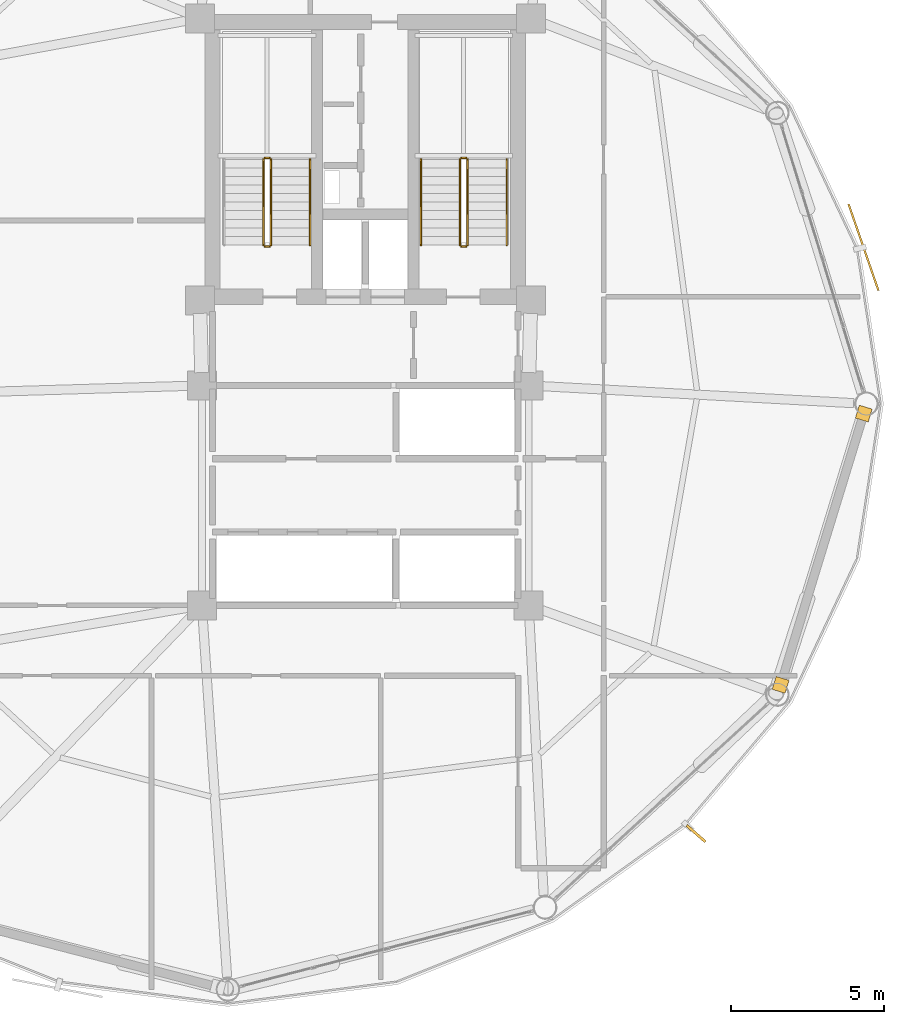
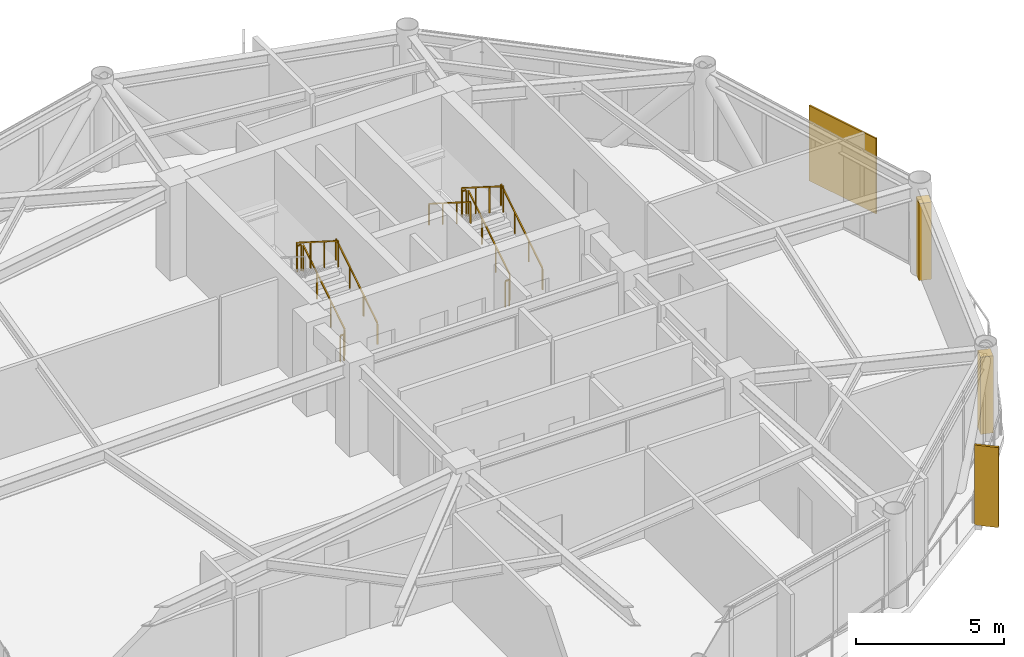
# One storey, part 26 of 27: 11 railings, 2 coverings, 2 shading devices.
"""IFC4 building model written with IfcOpenShell, lengths in metres."""

from ifc_helpers import new_model, si_unit, direction, frame, origin, origin_2d, place, context, subcontext, project, spatial, rectangle, extrude, source, transform, mapped, material, layer, layer_set, type_object, type_shapes, element, save


model = new_model("IFC4")

# Units and contexts
model_context = context("Model", 3, precision=1e-05, world=origin(), true_north=direction((0.0, 1.0)))
body_context = subcontext(model_context, "Body", "Model", "MODEL_VIEW")
ifc_project = project(units=[si_unit("LENGTHUNIT", "METRE"), si_unit("AREAUNIT", "SQUARE_METRE"), si_unit("VOLUMEUNIT", "CUBIC_METRE"), si_unit("PLANEANGLEUNIT", "RADIAN"), si_unit("MASSUNIT", "GRAM", prefix="KILO")], contexts=[model_context])

# Site, building, storey
site_placement = place(None, origin())
site = spatial("IfcSite", under=ifc_project, at=site_placement, CompositionType="ELEMENT")
building_placement = place(site_placement, origin())
building = spatial("IfcBuilding", under=site, at=building_placement, Name="Varnakorn Sky Granary", CompositionType="ELEMENT")
storey_placement = place(building_placement, frame((0.0, 0.0, 142.199951171875)))
storey = spatial("IfcBuildingStorey", under=building, at=storey_placement, Name="L35", CompositionType="ELEMENT", Elevation=142.199951171875)

# Railings
ifc_material_1 = material(Name="Brushed Stainless Steel 316", Category="steel")
railing_type_1 = type_object("IfcRailingType", Name="RL-STAIR-1100", PredefinedType="GUARDRAIL", material=ifc_material_1)
railing_1_placement = place(storey_placement, frame((-0.090087890625, 5.199951171875, 0.17724609375)))
element("IfcRailing", 1, at=railing_1_placement, inside=storey, type_object=railing_type_1, Name="L35 ST-1 stair guard 1", PredefinedType="GUARDRAIL", context=body_context, shape_type="SweptSolid", body=[
    extrude(rectangle(XDim=0.048095703125, YDim=0.048095703125, at=origin_2d()), frame((0.0, 0.0, 1.076171875), z_axis=(0.0, 0.844908973607, 0.534910110503), x_axis=(-1.0, 0.0, 0.0)), (0.0, 0.0, 1.0), 3.31396484375),
    extrude(rectangle(XDim=0.0419921875, YDim=0.0419921875, at=origin_2d()), origin(), (0.0, 0.0, 1.0), 1.048095703125),
    extrude(rectangle(XDim=0.0419921875, YDim=0.0419921875, at=origin_2d()), frame((0.0, 0.933349609375, 0.5908203125)), (0.0, 0.0, 1.0), 1.048095703125),
    extrude(rectangle(XDim=0.0419921875, YDim=0.0419921875, at=origin_2d()), frame((0.0, 1.86669921875, 1.181884765625)), (0.0, 0.0, 1.0), 1.048095703125),
    extrude(rectangle(XDim=0.0419921875, YDim=0.0419921875, at=origin_2d()), frame((0.0, 2.800048828125, 1.772705078125)), (0.0, 0.0, 1.0), 1.048095703125),
])
railing_2_placement = place(storey_placement, frame((-0.139892578125, 8.050048828125, 1.949951171875)))
element("IfcRailing", 2, at=railing_2_placement, inside=storey, type_object=railing_type_1, Name="L35 ST-1 stair guard 2", PredefinedType="GUARDRAIL", context=body_context, shape_type="SweptSolid", body=[
    extrude(rectangle(XDim=0.048095703125, YDim=0.048095703125, at=origin_2d()), frame((0.0, 0.0, 1.076171875), z_axis=(-1.0, 0.0, 0.0), x_axis=(0.0, -1.0, 0.0)), (0.0, 0.0, 1.0), 0.150146484375),
    extrude(rectangle(XDim=0.0419921875, YDim=0.0419921875, at=origin_2d()), origin(), (0.0, 0.0, 1.0), 1.048095703125),
    extrude(rectangle(XDim=0.0419921875, YDim=0.0419921875, at=origin_2d()), frame((-0.150146484375, 0.0, 0.0)), (0.0, 0.0, 1.0), 1.048095703125),
])
railing_3_placement = place(storey_placement, frame((-0.340087890625, 8.0, 2.12744140625)))
element("IfcRailing", 3, at=railing_3_placement, inside=storey, type_object=railing_type_1, Name="L35 ST-1 stair guard 3", PredefinedType="GUARDRAIL", context=body_context, shape_type="SweptSolid", body=[
    extrude(rectangle(XDim=0.048095703125, YDim=0.048095703125, at=origin_2d()), frame((0.0, 0.0, 1.076171875), z_axis=(0.0, -0.844908973607, 0.534910110503), x_axis=(1.0, 0.0, 0.0)), (0.0, 0.0, 1.0), 3.31396484375),
    extrude(rectangle(XDim=0.0419921875, YDim=0.0419921875, at=origin_2d()), origin(), (0.0, 0.0, 1.0), 1.048095703125),
    extrude(rectangle(XDim=0.0419921875, YDim=0.0419921875, at=origin_2d()), frame((0.0, -0.933349609375, 0.5908203125)), (0.0, 0.0, 1.0), 1.048095703125),
    extrude(rectangle(XDim=0.0419921875, YDim=0.0419921875, at=origin_2d()), frame((0.0, -1.86669921875, 1.181884765625)), (0.0, 0.0, 1.0), 1.048095703125),
    extrude(rectangle(XDim=0.0419921875, YDim=0.0419921875, at=origin_2d()), frame((0.0, -2.800048828125, 1.772705078125)), (0.0, 0.0, 1.0), 1.048095703125),
])
railing_4_placement = place(storey_placement, frame((-0.139892578125, 5.14990234375, 0.0)))
element("IfcRailing", 4, at=railing_4_placement, inside=storey, type_object=railing_type_1, Name="L35 ST-1 stair guard 4", PredefinedType="GUARDRAIL", context=body_context, shape_type="SweptSolid", body=[
    extrude(rectangle(XDim=0.048095703125, YDim=0.048095703125, at=origin_2d()), frame((0.0, 0.0, 1.076171875), z_axis=(-1.0, 0.0, 0.0), x_axis=(0.0, -1.0, 0.0)), (0.0, 0.0, 1.0), 0.150146484375),
    extrude(rectangle(XDim=0.0419921875, YDim=0.0419921875, at=origin_2d()), origin(), (0.0, 0.0, 1.0), 1.048095703125),
    extrude(rectangle(XDim=0.0419921875, YDim=0.0419921875, at=origin_2d()), frame((-0.150146484375, 0.0, 0.0)), (0.0, 0.0, 1.0), 1.048095703125),
])
railing_5_placement = place(storey_placement, frame((6.35009765625, 5.199951171875, 0.17724609375)))
element("IfcRailing", 5, at=railing_5_placement, inside=storey, type_object=railing_type_1, Name="L35 ST-2 stair guard 1", PredefinedType="GUARDRAIL", context=body_context, shape_type="SweptSolid", body=[
    extrude(rectangle(XDim=0.048095703125, YDim=0.048095703125, at=origin_2d()), frame((0.0, 0.0, 1.076171875), z_axis=(0.0, 0.844908973607, 0.534910110503), x_axis=(-1.0, 0.0, 0.0)), (0.0, 0.0, 1.0), 3.31396484375),
    extrude(rectangle(XDim=0.0419921875, YDim=0.0419921875, at=origin_2d()), origin(), (0.0, 0.0, 1.0), 1.048095703125),
    extrude(rectangle(XDim=0.0419921875, YDim=0.0419921875, at=origin_2d()), frame((0.0, 0.933349609375, 0.5908203125)), (0.0, 0.0, 1.0), 1.048095703125),
    extrude(rectangle(XDim=0.0419921875, YDim=0.0419921875, at=origin_2d()), frame((0.0, 1.86669921875, 1.181884765625)), (0.0, 0.0, 1.0), 1.048095703125),
    extrude(rectangle(XDim=0.0419921875, YDim=0.0419921875, at=origin_2d()), frame((0.0, 2.800048828125, 1.772705078125)), (0.0, 0.0, 1.0), 1.048095703125),
])
railing_6_placement = place(storey_placement, frame((6.300048828125, 8.050048828125, 1.949951171875)))
element("IfcRailing", 6, at=railing_6_placement, inside=storey, type_object=railing_type_1, Name="L35 ST-2 stair guard 2", PredefinedType="GUARDRAIL", context=body_context, shape_type="SweptSolid", body=[
    extrude(rectangle(XDim=0.048095703125, YDim=0.048095703125, at=origin_2d()), frame((0.0, 0.0, 1.076171875), z_axis=(-1.0, 0.0, 0.0), x_axis=(0.0, -1.0, 0.0)), (0.0, 0.0, 1.0), 0.150146484375),
    extrude(rectangle(XDim=0.0419921875, YDim=0.0419921875, at=origin_2d()), origin(), (0.0, 0.0, 1.0), 1.048095703125),
    extrude(rectangle(XDim=0.0419921875, YDim=0.0419921875, at=origin_2d()), frame((-0.150146484375, 0.0, 0.0)), (0.0, 0.0, 1.0), 1.048095703125),
])
railing_7_placement = place(storey_placement, frame((6.10009765625, 8.0, 2.12744140625)))
element("IfcRailing", 7, at=railing_7_placement, inside=storey, type_object=railing_type_1, Name="L35 ST-2 stair guard 3", PredefinedType="GUARDRAIL", context=body_context, shape_type="SweptSolid", body=[
    extrude(rectangle(XDim=0.048095703125, YDim=0.048095703125, at=origin_2d()), frame((0.0, 0.0, 1.076171875), z_axis=(0.0, -0.844908973607, 0.534910110503), x_axis=(1.0, 0.0, 0.0)), (0.0, 0.0, 1.0), 3.31396484375),
    extrude(rectangle(XDim=0.0419921875, YDim=0.0419921875, at=origin_2d()), origin(), (0.0, 0.0, 1.0), 1.048095703125),
    extrude(rectangle(XDim=0.0419921875, YDim=0.0419921875, at=origin_2d()), frame((0.0, -0.933349609375, 0.5908203125)), (0.0, 0.0, 1.0), 1.048095703125),
    extrude(rectangle(XDim=0.0419921875, YDim=0.0419921875, at=origin_2d()), frame((0.0, -1.86669921875, 1.181884765625)), (0.0, 0.0, 1.0), 1.048095703125),
    extrude(rectangle(XDim=0.0419921875, YDim=0.0419921875, at=origin_2d()), frame((0.0, -2.800048828125, 1.772705078125)), (0.0, 0.0, 1.0), 1.048095703125),
])
railing_8_placement = place(storey_placement, frame((6.300048828125, 5.14990234375, 0.0)))
element("IfcRailing", 8, at=railing_8_placement, inside=storey, type_object=railing_type_1, Name="L35 ST-2 stair guard 4", PredefinedType="GUARDRAIL", context=body_context, shape_type="SweptSolid", body=[
    extrude(rectangle(XDim=0.048095703125, YDim=0.048095703125, at=origin_2d()), frame((0.0, 0.0, 1.076171875), z_axis=(-1.0, 0.0, 0.0), x_axis=(0.0, -1.0, 0.0)), (0.0, 0.0, 1.0), 0.150146484375),
    extrude(rectangle(XDim=0.0419921875, YDim=0.0419921875, at=origin_2d()), origin(), (0.0, 0.0, 1.0), 1.048095703125),
    extrude(rectangle(XDim=0.0419921875, YDim=0.0419921875, at=origin_2d()), frame((-0.150146484375, 0.0, 0.0)), (0.0, 0.0, 1.0), 1.048095703125),
])
railing_type_2 = type_object("IfcRailingType", Name="RL-STAIR-920", PredefinedType="HANDRAIL", material=ifc_material_1)
for number, where, name in (
    (9, (1.18994140625, 5.199951171875, 0.17724609375), "L35 ST-1 stair handrail 1"),
    (10, (7.6298828125, 5.199951171875, 0.17724609375), "L35 ST-2 stair handrail 1"),
):
    element("IfcRailing", number, at=place(storey_placement, frame(where)), inside=storey, type_object=railing_type_2, Name=name, PredefinedType="HANDRAIL", context=body_context, shape_type="SweptSolid", body=[
        extrude(rectangle(XDim=0.048095703125, YDim=0.048095703125, at=origin_2d()), frame((0.0, 0.0, 0.8759765625), z_axis=(0.0, 0.844908973607, 0.534910110503), x_axis=(-1.0, 0.0, 0.0)), (0.0, 0.0, 1.0), 3.31396484375),
        extrude(rectangle(XDim=0.0419921875, YDim=0.0419921875, at=origin_2d()), origin(), (0.0, 0.0, 1.0), 0.847900390625),
        extrude(rectangle(XDim=0.0419921875, YDim=0.0419921875, at=origin_2d()), frame((0.0, 0.933349609375, 0.5908203125)), (0.0, 0.0, 1.0), 0.847900390625),
        extrude(rectangle(XDim=0.0419921875, YDim=0.0419921875, at=origin_2d()), frame((0.0, 1.86669921875, 1.181884765625)), (0.0, 0.0, 1.0), 0.847900390625),
        extrude(rectangle(XDim=0.0419921875, YDim=0.0419921875, at=origin_2d()), frame((0.0, 2.800048828125, 1.772705078125)), (0.0, 0.0, 1.0), 0.847900390625),
    ])
railing_9_placement = place(storey_placement, frame((4.820068359375, 8.0, 2.12744140625)))
element("IfcRailing", 11, at=railing_9_placement, inside=storey, type_object=railing_type_2, Name="L35 ST-2 stair handrail 2", PredefinedType="HANDRAIL", context=body_context, shape_type="SweptSolid", body=[
    extrude(rectangle(XDim=0.048095703125, YDim=0.048095703125, at=origin_2d()), frame((0.0, 0.0, 0.8759765625), z_axis=(0.0, -0.844908973607, 0.534910110503), x_axis=(1.0, 0.0, 0.0)), (0.0, 0.0, 1.0), 3.31396484375),
    extrude(rectangle(XDim=0.0419921875, YDim=0.0419921875, at=origin_2d()), origin(), (0.0, 0.0, 1.0), 0.847900390625),
    extrude(rectangle(XDim=0.0419921875, YDim=0.0419921875, at=origin_2d()), frame((0.0, -0.933349609375, 0.5908203125)), (0.0, 0.0, 1.0), 0.847900390625),
    extrude(rectangle(XDim=0.0419921875, YDim=0.0419921875, at=origin_2d()), frame((0.0, -1.86669921875, 1.181884765625)), (0.0, 0.0, 1.0), 0.847900390625),
    extrude(rectangle(XDim=0.0419921875, YDim=0.0419921875, at=origin_2d()), frame((0.0, -2.800048828125, 1.772705078125)), (0.0, 0.0, 1.0), 0.847900390625),
])

# Shading devices
ifc_material_2 = material(Name="Anodised Bronze Aluminium Alloy 6063-T6", Category="aluminium")
shading_device_type_1 = type_object("IfcShadingDeviceType", Name="SH-SCR-02", PredefinedType="USERDEFINED", material=ifc_material_2)
shared_shape_1 = source(origin(), body_context, "Body", "SweptSolid", [
    extrude(rectangle(XDim=3.0, YDim=0.06494140625, at=origin_2d()), origin(), (0.0, 0.0, 1.0), 3.10009765625),
])
type_shapes(shading_device_type_1, [shared_shape_1])
shading_device_1_placement = place(storey_placement, frame((19.30908203125, 5.1220703125, -0.0400390625), z_axis=(0.0, 0.0, 1.0), x_axis=(-0.326852319735, 0.945075426135, 0.0)))
element("IfcShadingDevice", 12, at=shading_device_1_placement, inside=storey, type_object=shading_device_type_1, Name="Perforated Bronze Solar Screen Panel SCREEN L35-01", ObjectType="SCREEN", PredefinedType="USERDEFINED", context=body_context, shape_type="MappedRepresentation", body=[
    mapped(shared_shape_1, transform((0.0, 0.0, 0.0), x_axis=(1.0, 0.0, 0.0), y_axis=(0.0, 1.0, 0.0), z_axis=(0.0, 0.0, 1.0), scale=1.0)),
])
shading_device_type_2 = type_object("IfcShadingDeviceType", Name="SH-FIN-02", PredefinedType="USERDEFINED", material=ifc_material_2)
shared_shape_2 = source(origin(), body_context, "Body", "SweptSolid", [
    extrude(rectangle(XDim=0.0849609375, YDim=0.820068359375, at=origin_2d()), origin(), (0.0, 0.0, 1.0), 3.300048828125),
])
type_shapes(shading_device_type_2, [shared_shape_2])
shading_device_2_placement = place(storey_placement, frame((13.828369140625, -14.072509765625, -0.0400390625), z_axis=(0.0, 0.0, 1.0), x_axis=(0.658561757574, 0.752526684883, 0.0)))
element("IfcShadingDevice", 13, at=shading_device_2_placement, inside=storey, type_object=shading_device_type_2, Name="Bronze Solar-Tracking Vertical Blade FIN L35-11", ObjectType="FIN", PredefinedType="USERDEFINED", context=body_context, shape_type="MappedRepresentation", body=[
    mapped(shared_shape_2, transform((0.0, 0.0, 0.0), x_axis=(1.0, 0.0, 0.0), y_axis=(0.0, 1.0, 0.0), z_axis=(0.0, 0.0, 1.0), scale=1.0)),
])

# Coverings
ifc_layer = layer(ifc_material_2, 0.050048828125, Name="Anodised Bronze Aluminium Alloy 6063-T6")
ifc_layer_set = layer_set([ifc_layer], Name="Anodised Bronze Aluminium Alloy 6063-T6")
covering_type = type_object("IfcCoveringType", Name="CV-CLAD-50", PredefinedType="CLADDING", material=ifc_layer_set)
shared_shape_3 = source(origin(), body_context, "Body", "SweptSolid", [
    extrude(rectangle(XDim=0.43994140625, YDim=0.43994140625, at=origin_2d()), origin(), (0.0, 0.0, 1.0), 3.179931640625),
])
type_shapes(covering_type, [shared_shape_3])
for number, where, z_axis, x_axis, name in (
    (14, (19.318603515625, -0.3212890625, -0.02001953125), (0.0, 0.0, 1.0), (-0.293039260085, -0.956100408978, 0.0), "Bronze Corner Pilaster Closure L35-P12-A"),
    (15, (16.59619140625, -9.202880859375, -0.02001953125), (0.0, 0.0, 1.0), (-0.293039260085, -0.956100408978, 0.0), "Bronze Corner Pilaster Closure L35-P12-B"),
):
    element("IfcCovering", number, at=place(storey_placement, frame(where, z_axis=z_axis, x_axis=x_axis)), inside=storey, type_object=covering_type, Name=name, PredefinedType="CLADDING", context=body_context, shape_type="MappedRepresentation", body=[
        mapped(shared_shape_3, transform((0.0, 0.0, 0.0), x_axis=(1.0, 0.0, 0.0), y_axis=(0.0, 1.0, 0.0), z_axis=(0.0, 0.0, 1.0), scale=1.0)),
    ])

save(model, "model.ifc")
